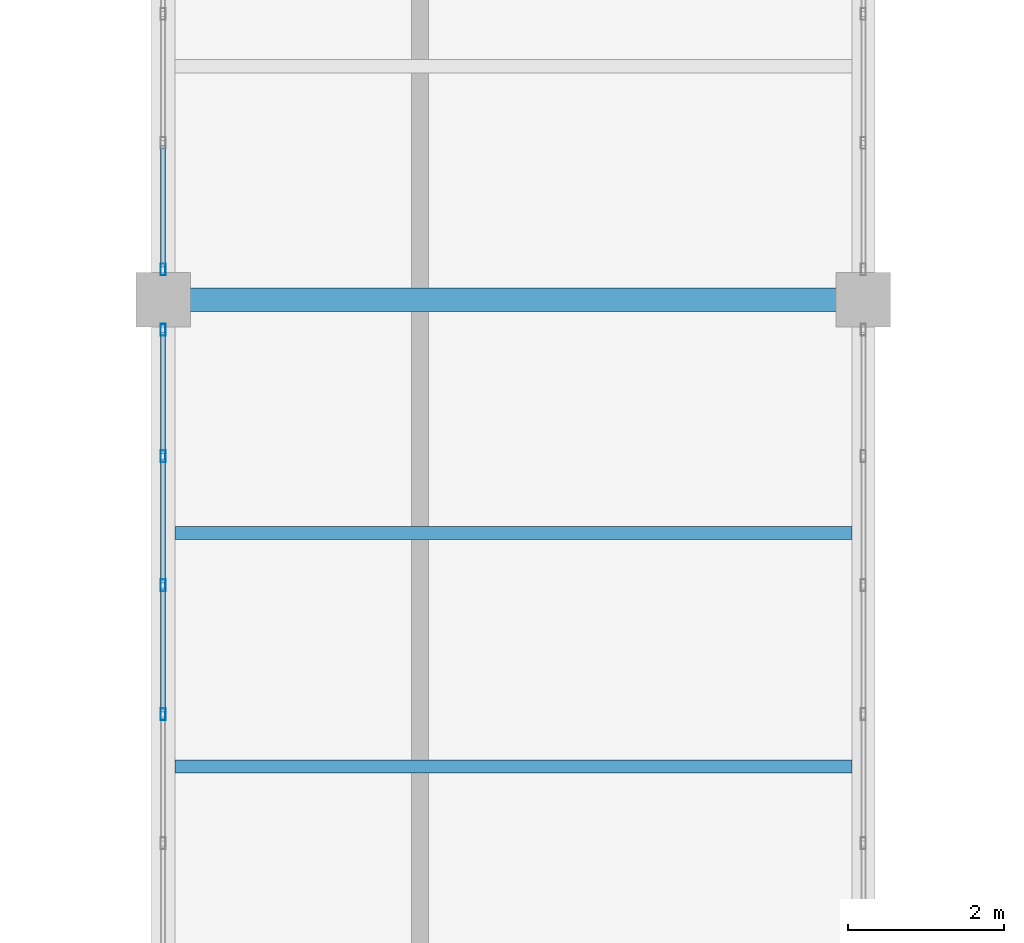
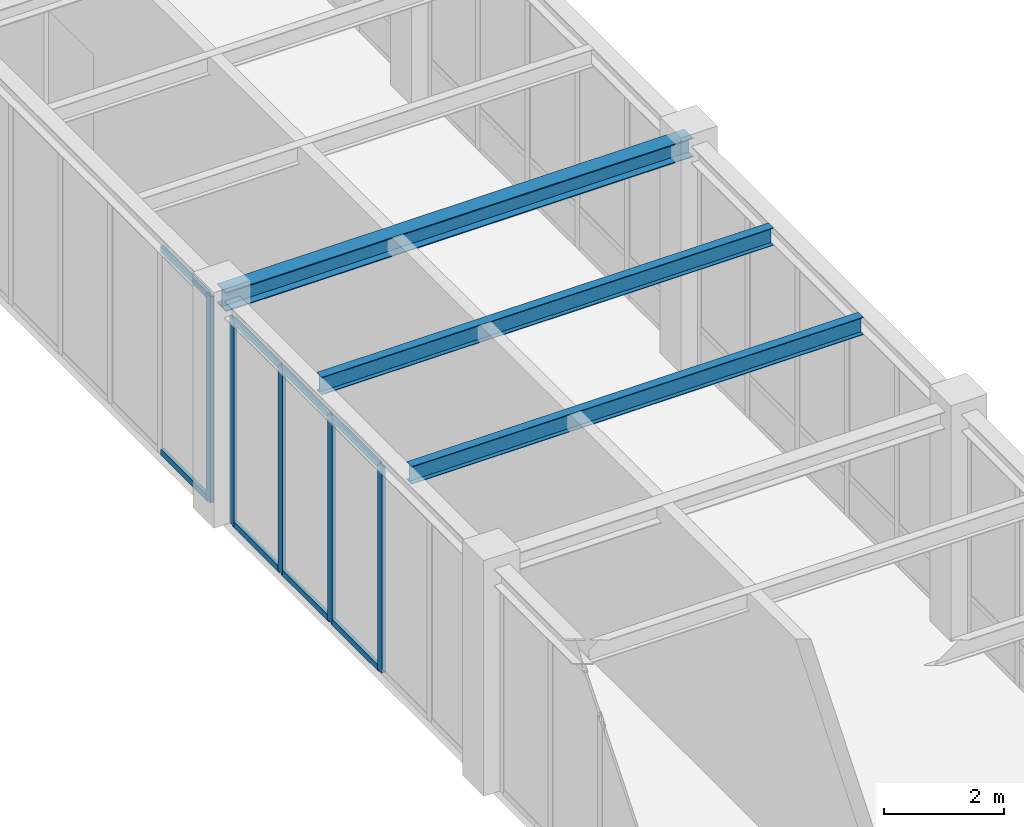
# One storey, part 49 of 92: 13 members, 3 beams, 2 elements without a shape of their own.
"""IFC4 building model written with IfcOpenShell, lengths in metres."""

from ifc_helpers import new_model, si_unit, direction, frame, origin, origin_2d, place, context, subcontext, project, spatial, hollow_rectangle, i_section, extrude, material, material_profile, profile_set, type_object, element, aggregate, save


model = new_model("IFC4")

# Units and contexts
model_context = context("Model", 3, precision=1e-05, world=origin(), true_north=direction((0.0, 1.0)))
body_context = subcontext(model_context, "Body", "Model", "MODEL_VIEW")
ifc_project = project(units=[si_unit("LENGTHUNIT", "METRE"), si_unit("AREAUNIT", "SQUARE_METRE"), si_unit("VOLUMEUNIT", "CUBIC_METRE"), si_unit("PLANEANGLEUNIT", "RADIAN"), si_unit("MASSUNIT", "GRAM", prefix="KILO")], contexts=[model_context])

# Site, building, storey
site_placement = place(None, origin())
site = spatial("IfcSite", under=ifc_project, at=site_placement, CompositionType="ELEMENT")
building_placement = place(site_placement, origin())
building = spatial("IfcBuilding", under=site, at=building_placement, Name="Lykobir Media Centre", CompositionType="ELEMENT")
storey_placement = place(building_placement, frame((0.0, 0.0, 5.39990234375)))
storey = spatial("IfcBuildingStorey", under=building, at=storey_placement, Name="L01", CompositionType="ELEMENT", Elevation=5.39990234375)

# Beam
ifc_material_1 = material(Name="Steel S355", Category="steel")
ifc_material_profile_1 = material_profile(ifc_material_1, i_section(OverallWidth=0.300048828125, OverallDepth=0.389892578125, WebThickness=0.010986328125, FlangeThickness=0.01904296875, at=origin_2d()), Name="HEA 400")
ifc_profile_set_1 = profile_set([ifc_material_profile_1], Name="Steel S355")
beam_type_1 = type_object("IfcBeamType", Name="BM-HEA400", PredefinedType="BEAM", material=ifc_profile_set_1)
beam_placement = place(storey_placement, frame((90.0, 54.0, 4.364990234375), z_axis=(1.0, 0.0, 0.0), x_axis=(0.0, 1.0, 0.0)))
element("IfcBeam", 1, at=beam_placement, inside=storey, type_object=beam_type_1, Name="Beam BM-L01-0900-0540-0990-0540-976", PredefinedType="BEAM", context=body_context, shape_type="SweptSolid", body=[
    extrude(i_section(OverallWidth=0.300048828125, OverallDepth=0.389892578125, WebThickness=0.010986328125, FlangeThickness=0.01904296875, at=origin_2d()), origin(), (0.0, 0.0, 1.0), 9.0),
])

# Curtain wall, members
ifc_material_2 = material(Name="Anodized Aluminium AW-6060", Category="aluminium")
curtain_wall_type = type_object("IfcCurtainWallType", Name="CW-BRIDGE", PredefinedType="NOTDEFINED", material=ifc_material_2)
curtain_wall_1_placement = place(storey_placement, origin())
curtain_wall_1 = element("IfcCurtainWall", 2, at=curtain_wall_1_placement, inside=storey, type_object=curtain_wall_type, Name="Curtain wall CW2-L01-0040", PredefinedType="NOTDEFINED")
ifc_material_profile_2 = material_profile(ifc_material_2, hollow_rectangle(XDim=0.06494140625, YDim=0.14990234375, WallThickness=0.00341796875, at=origin_2d()), Name="ALU MULLION 65x150")
ifc_profile_set_2 = profile_set([ifc_material_profile_2], Name="Anodized Aluminium AW-6060")
member_type_1 = type_object("IfcMemberType", Name="CWM-150", PredefinedType="MULLION", material=ifc_profile_set_2)
member_1_placement = place(storey_placement, frame((90.0, 48.6708984375, 0.0), z_axis=(0.0, 0.0, 1.0), x_axis=(-1.0, 0.0, 0.0)))
member_1 = element("IfcMember", 3, at=member_1_placement, type_object=member_type_1, Name="CW2-L01-0040 mullion 3", PredefinedType="MULLION", context=body_context, shape_type="SweptSolid", body=[
    extrude(hollow_rectangle(XDim=0.06494140625, YDim=0.14990234375, WallThickness=0.00341796875, at=origin_2d()), origin(), (0.0, 0.0, 1.0), 4.195068359375),
])
member_2_placement = place(storey_placement, frame((90.0, 50.3291015625, 0.0), z_axis=(0.0, 0.0, 1.0), x_axis=(-1.0, 0.0, 0.0)))
member_2 = element("IfcMember", 4, at=member_2_placement, type_object=member_type_1, Name="CW2-L01-0040 mullion 4", PredefinedType="MULLION", context=body_context, shape_type="SweptSolid", body=[
    extrude(hollow_rectangle(XDim=0.06494140625, YDim=0.14990234375, WallThickness=0.00341796875, at=origin_2d()), origin(), (0.0, 0.0, 1.0), 4.195068359375),
])
member_3_placement = place(storey_placement, frame((90.0, 51.987060546875, 0.0), z_axis=(0.0, 0.0, 1.0), x_axis=(-1.0, 0.0, 0.0)))
member_3 = element("IfcMember", 5, at=member_3_placement, type_object=member_type_1, Name="CW2-L01-0040 mullion 5", PredefinedType="MULLION", context=body_context, shape_type="SweptSolid", body=[
    extrude(hollow_rectangle(XDim=0.06494140625, YDim=0.14990234375, WallThickness=0.00341796875, at=origin_2d()), origin(), (0.0, 0.0, 1.0), 4.195068359375),
])
member_4_placement = place(storey_placement, frame((90.0, 53.612548828125, 0.0), z_axis=(0.0, 0.0, 1.0), x_axis=(-1.0, 0.0, 0.0)))
member_4 = element("IfcMember", 6, at=member_4_placement, type_object=member_type_1, Name="CW2-L01-0040 mullion 6", PredefinedType="MULLION", context=body_context, shape_type="SweptSolid", body=[
    extrude(hollow_rectangle(XDim=0.06494140625, YDim=0.14990234375, WallThickness=0.00341796875, at=origin_2d()), origin(), (0.0, 0.0, 1.0), 4.195068359375),
])

# Curtain wall, member
curtain_wall_2_placement = place(storey_placement, origin())
curtain_wall_2 = element("IfcCurtainWall", 7, at=curtain_wall_2_placement, inside=storey, type_object=curtain_wall_type, Name="Curtain wall CW2-L01-0041", PredefinedType="NOTDEFINED")
member_5_placement = place(storey_placement, frame((90.0, 54.387451171875, 0.0), z_axis=(0.0, 0.0, 1.0), x_axis=(-1.0, 0.0, 0.0)))
member_5 = element("IfcMember", 8, at=member_5_placement, type_object=member_type_1, Name="CW2-L01-0041 mullion 1", PredefinedType="MULLION", context=body_context, shape_type="SweptSolid", body=[
    extrude(hollow_rectangle(XDim=0.06494140625, YDim=0.14990234375, WallThickness=0.00341796875, at=origin_2d()), origin(), (0.0, 0.0, 1.0), 4.195068359375),
])

# Member
ifc_material_profile_3 = material_profile(ifc_material_2, hollow_rectangle(XDim=0.06494140625, YDim=0.1201171875, WallThickness=0.0029296875, at=origin_2d()), Name="ALU TRANSOM 65x120")
ifc_profile_set_3 = profile_set([ifc_material_profile_3], Name="Anodized Aluminium AW-6060")
member_type_2 = type_object("IfcMemberType", Name="CWT-120", PredefinedType="USERDEFINED", material=ifc_profile_set_3)
member_6_placement = place(storey_placement, frame((90.0, 48.70361328125, 0.03271484375), z_axis=(0.0, 1.0, 0.0), x_axis=(-1.0, 0.0, 0.0)))
member_6 = element("IfcMember", 9, at=member_6_placement, type_object=member_type_2, Name="CW2-L01-0040 transom 3.1", ObjectType="TRANSOM", PredefinedType="USERDEFINED", context=body_context, shape_type="SweptSolid", body=[
    extrude(hollow_rectangle(XDim=0.06494140625, YDim=0.1201171875, WallThickness=0.0029296875, at=origin_2d()), origin(), (0.0, 0.0, 1.0), 1.5927734375),
])

member_7_placement = place(storey_placement, frame((90.0, 48.70361328125, 4.16259765625), z_axis=(0.0, 1.0, 0.0), x_axis=(-1.0, 0.0, 0.0)))
member_7 = element("IfcMember", 10, at=member_7_placement, type_object=member_type_2, Name="CW2-L01-0040 transom 3.2", ObjectType="TRANSOM", PredefinedType="USERDEFINED", context=body_context, shape_type="SweptSolid", body=[
    extrude(hollow_rectangle(XDim=0.06494140625, YDim=0.1201171875, WallThickness=0.0029296875, at=origin_2d()), origin(), (0.0, 0.0, 1.0), 1.5927734375),
])

member_8_placement = place(storey_placement, frame((90.0, 50.361572265625, 0.03271484375), z_axis=(0.0, 1.0, 0.0), x_axis=(-1.0, 0.0, 0.0)))
member_8 = element("IfcMember", 11, at=member_8_placement, type_object=member_type_2, Name="CW2-L01-0040 transom 4.1", ObjectType="TRANSOM", PredefinedType="USERDEFINED", context=body_context, shape_type="SweptSolid", body=[
    extrude(hollow_rectangle(XDim=0.06494140625, YDim=0.1201171875, WallThickness=0.0029296875, at=origin_2d()), origin(), (0.0, 0.0, 1.0), 1.593017578125),
])

member_9_placement = place(storey_placement, frame((90.0, 50.361572265625, 4.16259765625), z_axis=(0.0, 1.0, 0.0), x_axis=(-1.0, 0.0, 0.0)))
member_9 = element("IfcMember", 12, at=member_9_placement, type_object=member_type_2, Name="CW2-L01-0040 transom 4.2", ObjectType="TRANSOM", PredefinedType="USERDEFINED", context=body_context, shape_type="SweptSolid", body=[
    extrude(hollow_rectangle(XDim=0.06494140625, YDim=0.1201171875, WallThickness=0.0029296875, at=origin_2d()), origin(), (0.0, 0.0, 1.0), 1.593017578125),
])

member_10_placement = place(storey_placement, frame((90.0, 52.01953125, 0.03271484375), z_axis=(0.0, 1.0, 0.0), x_axis=(-1.0, 0.0, 0.0)))
member_10 = element("IfcMember", 13, at=member_10_placement, type_object=member_type_2, Name="CW2-L01-0040 transom 5.1", ObjectType="TRANSOM", PredefinedType="USERDEFINED", context=body_context, shape_type="SweptSolid", body=[
    extrude(hollow_rectangle(XDim=0.06494140625, YDim=0.1201171875, WallThickness=0.0029296875, at=origin_2d()), origin(), (0.0, 0.0, 1.0), 1.560546875),
])

member_11_placement = place(storey_placement, frame((90.0, 52.01953125, 4.16259765625), z_axis=(0.0, 1.0, 0.0), x_axis=(-1.0, 0.0, 0.0)))
member_11 = element("IfcMember", 14, at=member_11_placement, type_object=member_type_2, Name="CW2-L01-0040 transom 5.2", ObjectType="TRANSOM", PredefinedType="USERDEFINED", context=body_context, shape_type="SweptSolid", body=[
    extrude(hollow_rectangle(XDim=0.06494140625, YDim=0.1201171875, WallThickness=0.0029296875, at=origin_2d()), origin(), (0.0, 0.0, 1.0), 1.560546875),
])

aggregate(curtain_wall_1, [member_1, member_2, member_3, member_4, member_6, member_7, member_8, member_9, member_10, member_11])

member_12_placement = place(storey_placement, frame((90.0, 54.419921875, 0.03271484375), z_axis=(0.0, 1.0, 0.0), x_axis=(-1.0, 0.0, 0.0)))
member_12 = element("IfcMember", 15, at=member_12_placement, type_object=member_type_2, Name="CW2-L01-0041 transom 1.1", ObjectType="TRANSOM", PredefinedType="USERDEFINED", context=body_context, shape_type="SweptSolid", body=[
    extrude(hollow_rectangle(XDim=0.06494140625, YDim=0.1201171875, WallThickness=0.0029296875, at=origin_2d()), origin(), (0.0, 0.0, 1.0), 1.560546875),
])

member_13_placement = place(storey_placement, frame((90.0, 54.419921875, 4.16259765625), z_axis=(0.0, 1.0, 0.0), x_axis=(-1.0, 0.0, 0.0)))
member_13 = element("IfcMember", 16, at=member_13_placement, type_object=member_type_2, Name="CW2-L01-0041 transom 1.2", ObjectType="TRANSOM", PredefinedType="USERDEFINED", context=body_context, shape_type="SweptSolid", body=[
    extrude(hollow_rectangle(XDim=0.06494140625, YDim=0.1201171875, WallThickness=0.0029296875, at=origin_2d()), origin(), (0.0, 0.0, 1.0), 1.560546875),
])

aggregate(curtain_wall_2, [member_5, member_12, member_13])

# Beams
ifc_material_profile_4 = material_profile(ifc_material_1, i_section(OverallWidth=0.169921875, OverallDepth=0.360107421875, WebThickness=0.008056640625, FlangeThickness=0.0126953125, at=origin_2d()), Name="IPE 360")
ifc_profile_set_4 = profile_set([ifc_material_profile_4], Name="Steel S355")
beam_type_2 = type_object("IfcBeamType", Name="JS-IPE360", PredefinedType="JOIST", material=ifc_profile_set_4)
for number, where, z_axis, x_axis, name in (
    (17, (90.14990234375, 48.0, 4.380126953125), (1.0, 0.0, 0.0), (0.0, 1.0, 0.0), "Beam BM-L01-0902-0480-0988-0480-978"),
    (18, (90.14990234375, 51.0, 4.380126953125), (1.0, 0.0, 0.0), (0.0, 1.0, 0.0), "Beam BM-L01-0902-0510-0988-0510-978"),
):
    element("IfcBeam", number, at=place(storey_placement, frame(where, z_axis=z_axis, x_axis=x_axis)), inside=storey, type_object=beam_type_2, Name=name, PredefinedType="JOIST", context=body_context, shape_type="SweptSolid", body=[
        extrude(i_section(OverallWidth=0.169921875, OverallDepth=0.360107421875, WebThickness=0.008056640625, FlangeThickness=0.0126953125, at=origin_2d()), origin(), (0.0, 0.0, 1.0), 8.7001953125),
    ])

save(model, "model.ifc")
